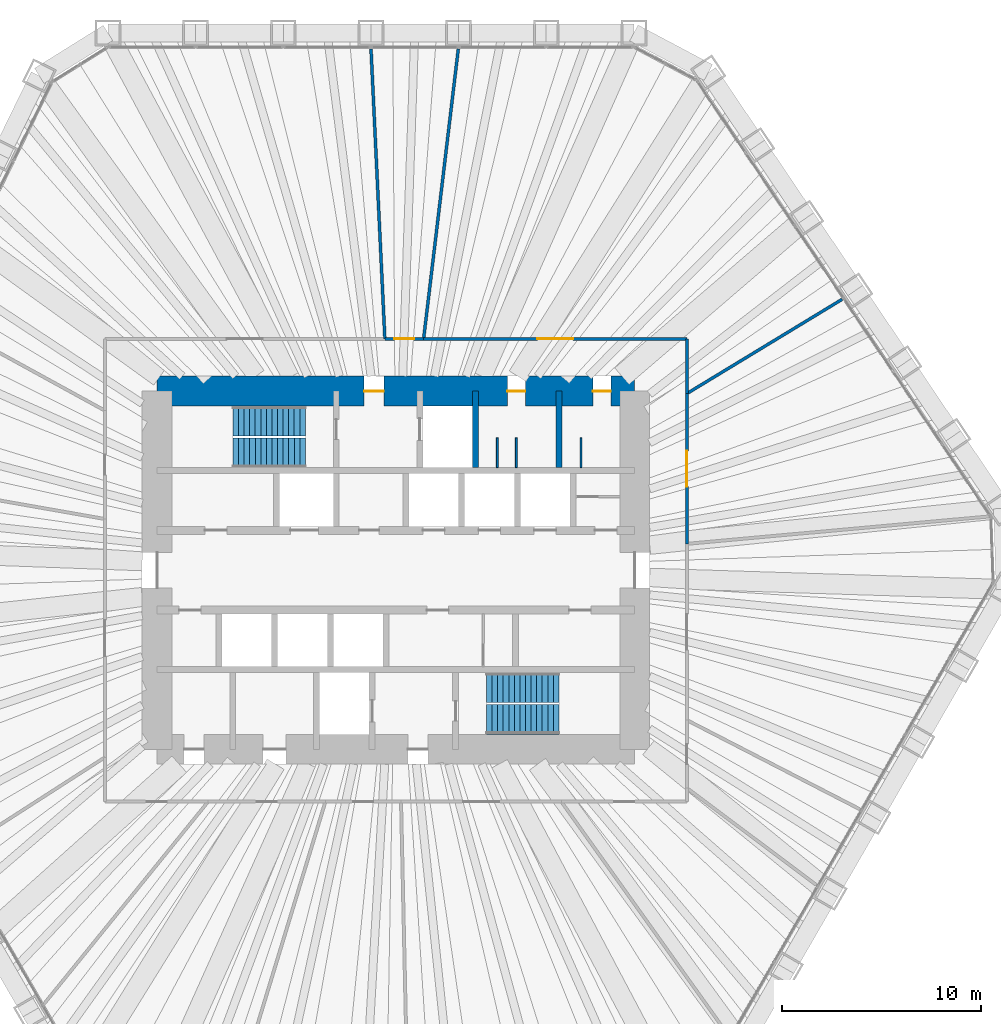
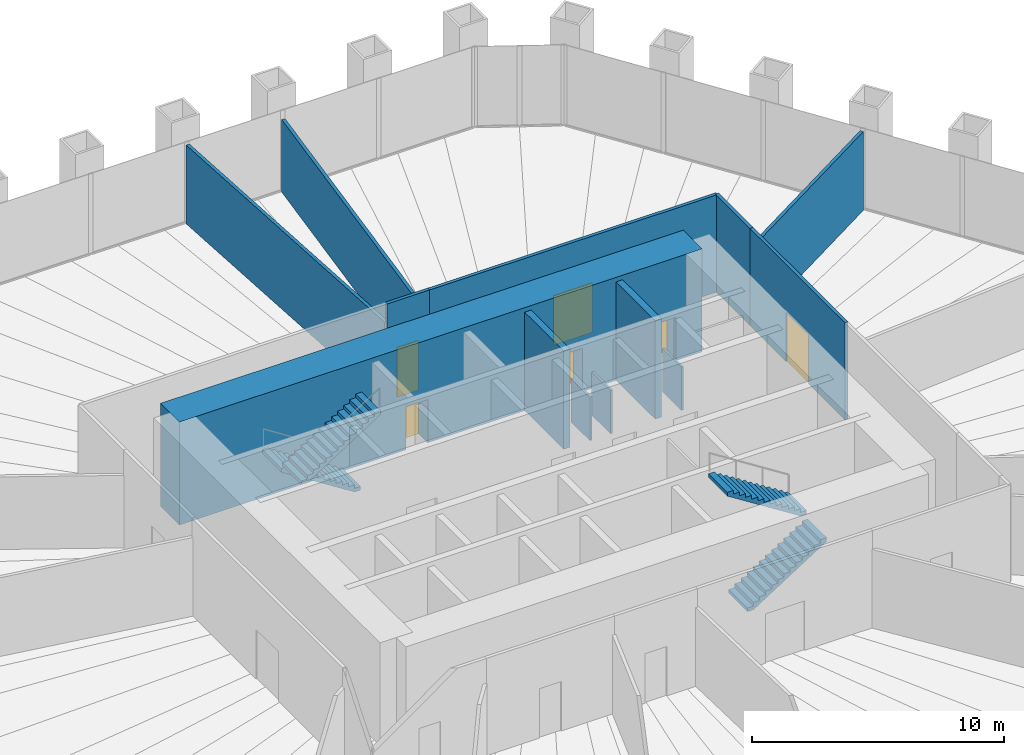
# One storey, part 12 of 13: 13 walls, 6 doors, 4 stair flights, 6 openings, 2 elements without a shape of their own.
"""IFC4 building model written with IfcOpenShell, lengths in metres."""

from ifc_helpers import new_model, si_unit, direction, frame, frame_2d, origin, place, context, subcontext, project, spatial, polyline, rectangle, outline, extrude, material, layer, layer_set, type_object, element, fill, aggregate, save


model = new_model("IFC4")

# Units and contexts
model_context = context("Model", 3, precision=1e-05, world=origin(), true_north=direction((0.0, 1.0)))
body_context = subcontext(model_context, "Body", "Model", "MODEL_VIEW")
ifc_project = project(units=[si_unit("LENGTHUNIT", "METRE"), si_unit("AREAUNIT", "SQUARE_METRE"), si_unit("VOLUMEUNIT", "CUBIC_METRE"), si_unit("PLANEANGLEUNIT", "RADIAN"), si_unit("MASSUNIT", "GRAM", prefix="KILO")], contexts=[model_context])

# Site, building, storey
site_placement = place(None, origin())
site = spatial("IfcSite", under=ifc_project, at=site_placement, CompositionType="ELEMENT")
building_placement = place(site_placement, origin())
building = spatial("IfcBuilding", under=site, at=building_placement, Name="Qingtian Harvest Tower", CompositionType="ELEMENT")
storey_placement = place(building_placement, frame((0.0, 0.0, 92.0)))
storey = spatial("IfcBuildingStorey", under=building, at=storey_placement, Name="L18", CompositionType="ELEMENT", Elevation=92.0)

# Walls
ifc_material_1 = material(Name="Precast concrete shaft panel", Category="concrete")
ifc_layer_1 = layer(ifc_material_1, 0.300048828125)
ifc_layer_set_1 = layer_set([ifc_layer_1], Name="Core shaft partition SW1 300")
wall_type_1 = type_object("IfcWallType", Name="Core shaft partition SW1 300", PredefinedType="PARTITIONING", material=ifc_layer_set_1)
for number, where, z_axis, x_axis, name in (
    (1, (4.0, 5.14990234375, 0.0), (0.0, 0.0, 1.0), (0.0, 1.0, 0.0), "Core shaft partition XN3 L18"),
    (2, (8.199951171875, 5.14990234375, 0.0), (0.0, 0.0, 1.0), (0.0, 1.0, 0.0), "Core shaft partition XN4 L18"),
):
    element("IfcWall", number, at=place(storey_placement, frame(where, z_axis=z_axis, x_axis=x_axis)), inside=storey, type_object=wall_type_1, Name=name, PredefinedType="PARTITIONING", context=body_context, shape_type="SweptSolid", body=[
        extrude(rectangle(XDim=3.85009765625, YDim=0.300048828125, at=frame_2d((1.925048828125, 0.0))), origin(), (0.0, 0.0, 1.0), 4.780029296875),
    ])

# Wall, openings, doors
ifc_material_2 = material(Name="Concrete fc' 70 MPa", Category="concrete")
ifc_layer_2 = layer(ifc_material_2, 1.5)
ifc_layer_set_2 = layer_set([ifc_layer_2], Name="Core wall RC1 1500")
wall_type_2 = type_object("IfcWallType", Name="Core wall RC1 1500", PredefinedType="SHEAR", material=ifc_layer_set_2)
wall_1_placement = place(storey_placement, frame((-12.0, 9.0, 0.0), z_axis=(0.0, 0.0, 1.0), x_axis=(1.0, 0.0, 0.0)))
wall_1 = element("IfcWall", 3, at=wall_1_placement, inside=storey, type_object=wall_type_2, Name="Core wall CN L18", PredefinedType="SHEAR", context=body_context, shape_type="SweptSolid", body=[
    extrude(rectangle(XDim=24.0, YDim=1.5, at=frame_2d((12.0, 0.0))), origin(), (0.0, 0.0, 1.0), 5.0),
])
opening_1_placement = place(wall_1_placement, frame((10.39990234375, 0.0, 0.0)))
opening_1 = element("IfcOpeningElement", 4, at=opening_1_placement, cuts=wall_1, Name="Opening FD1", PredefinedType="OPENING", context=body_context, shape_type="SweptSolid", body=[
    extrude(rectangle(XDim=1.0, YDim=2.10009765625, at=frame_2d((0.5, 1.050048828125))), frame((0.0, 0.760009765625, 0.0), z_axis=(0.0, -1.0, 0.0), x_axis=(1.0, 0.0, 0.0)), (0.0, 0.0, 1.0), 1.52001953125),
])
opening_2_placement = place(wall_1_placement, frame((17.60009765625, 0.0, 0.0)))
opening_2 = element("IfcOpeningElement", 5, at=opening_2_placement, cuts=wall_1, Name="Opening D1", PredefinedType="OPENING", context=body_context, shape_type="SweptSolid", body=[
    extrude(rectangle(XDim=0.89990234375, YDim=2.10009765625, at=frame_2d((0.449951171875, 1.050048828125))), frame((0.0, 0.760009765625, 0.0), z_axis=(0.0, -1.0, 0.0), x_axis=(1.0, 0.0, 0.0)), (0.0, 0.0, 1.0), 1.52001953125),
])
opening_3_placement = place(wall_1_placement, frame((21.89990234375, 0.0, 0.0)))
opening_3 = element("IfcOpeningElement", 6, at=opening_3_placement, cuts=wall_1, Name="Opening D1", PredefinedType="OPENING", context=body_context, shape_type="SweptSolid", body=[
    extrude(rectangle(XDim=0.89990234375, YDim=2.10009765625, at=frame_2d((0.449951171875, 1.050048828125))), frame((0.0, 0.760009765625, 0.0), z_axis=(0.0, -1.0, 0.0), x_axis=(1.0, 0.0, 0.0)), (0.0, 0.0, 1.0), 1.52001953125),
])
ifc_material_3 = material(Name="Steel-faced door leaf", Category="steel")
door_type_1 = type_object("IfcDoorType", Name="Fire door FD1 single 1 HR", OperationType="SINGLE_SWING_LEFT", PredefinedType="DOOR", material=ifc_material_3)
door_1_placement = place(opening_1_placement, origin())
door_1 = element("IfcDoor", 7, at=door_1_placement, inside=storey, type_object=door_type_1, Name="V1 door L18", OperationType="SINGLE_SWING_LEFT", OverallHeight=2.10009765625, OverallWidth=1.0, PredefinedType="DOOR", context=body_context, shape_type="SweptSolid", body=[
    extrude(rectangle(XDim=1.0, YDim=2.10009765625, at=frame_2d((0.5, 1.050048828125))), frame((0.0, 0.02490234375, 0.0), z_axis=(0.0, -1.0, 0.0), x_axis=(1.0, 0.0, 0.0)), (0.0, 0.0, 1.0), 0.050048828125),
])
fill(opening_1, door_1)
ifc_material_4 = material(Name="Laminated timber door leaf", Category="wood")
door_type_2 = type_object("IfcDoorType", Name="Toilet door D1 single", OperationType="SINGLE_SWING_LEFT", PredefinedType="DOOR", material=ifc_material_4)
door_2_placement = place(opening_2_placement, origin())
door_2 = element("IfcDoor", 8, at=door_2_placement, inside=storey, type_object=door_type_2, Name="WCM door L18", OperationType="SINGLE_SWING_RIGHT", OverallHeight=2.10009765625, OverallWidth=0.89990234375, PredefinedType="DOOR", context=body_context, shape_type="SweptSolid", body=[
    extrude(rectangle(XDim=0.89990234375, YDim=2.10009765625, at=frame_2d((0.449951171875, 1.050048828125))), frame((0.0, 0.02490234375, 0.0), z_axis=(0.0, -1.0, 0.0), x_axis=(1.0, 0.0, 0.0)), (0.0, 0.0, 1.0), 0.050048828125),
])
fill(opening_2, door_2)
door_3_placement = place(opening_3_placement, origin())
door_3 = element("IfcDoor", 9, at=door_3_placement, inside=storey, type_object=door_type_2, Name="WCF door L18", OperationType="SINGLE_SWING_RIGHT", OverallHeight=2.10009765625, OverallWidth=0.89990234375, PredefinedType="DOOR", context=body_context, shape_type="SweptSolid", body=[
    extrude(rectangle(XDim=0.89990234375, YDim=2.10009765625, at=frame_2d((0.449951171875, 1.050048828125))), frame((0.0, 0.02490234375, 0.0), z_axis=(0.0, -1.0, 0.0), x_axis=(1.0, 0.0, 0.0)), (0.0, 0.0, 1.0), 0.050048828125),
])
fill(opening_3, door_3)

# Wall
ifc_material_5 = material(Name="Gypsum board on steel studs", Category="steel")
ifc_layer_3 = layer(ifc_material_5, 0.14990234375)
ifc_layer_set_3 = layer_set([ifc_layer_3], Name="Partition PT1 150")
wall_type_3 = type_object("IfcWallType", Name="Partition PT1 150", PredefinedType="PARTITIONING", material=ifc_layer_set_3)
wall_2_placement = place(storey_placement, frame((-1.2529296875, 26.2001953125, 0.0), z_axis=(0.0, 0.0, 1.0), x_axis=(0.047767854541, -0.998858464485, 0.0)))
element("IfcWall", 10, at=wall_2_placement, inside=storey, type_object=wall_type_3, Name="Nutrient dosing room wall L18", PredefinedType="PARTITIONING", context=body_context, shape_type="SweptSolid", body=[
    extrude(rectangle(XDim=14.591796875, YDim=0.14990234375, at=frame_2d((7.2958984375, 0.0))), origin(), (0.0, 0.0, 1.0), 3.820068359375),
])

# Wall, opening, door
wall_3_placement = place(storey_placement, frame((-0.555908203125, 11.625, 0.0), z_axis=(0.0, 0.0, 1.0), x_axis=(1.0, 0.0, 0.0)))
wall_3 = element("IfcWall", 11, at=wall_3_placement, inside=storey, type_object=wall_type_3, Name="Nutrient dosing room wall L18", PredefinedType="PARTITIONING", context=body_context, shape_type="SweptSolid", body=[
    extrude(rectangle(XDim=1.947021484375, YDim=0.14990234375, at=frame_2d((0.9736328125, 0.0))), origin(), (0.0, 0.0, 1.0), 4.719970703125),
])
opening_4_placement = place(wall_3_placement, frame((0.473388671875, 0.0, 0.0)))
opening_4 = element("IfcOpeningElement", 12, at=opening_4_placement, cuts=wall_3, Name="Opening D2", PredefinedType="OPENING", context=body_context, shape_type="SweptSolid", body=[
    extrude(rectangle(XDim=1.0, YDim=2.39990234375, at=frame_2d((0.5, 1.199951171875))), frame((0.0, 0.0849609375, 0.0), z_axis=(0.0, -1.0, 0.0), x_axis=(1.0, 0.0, 0.0)), (0.0, 0.0, 1.0), 0.169921875),
])
ifc_material_6 = material(Name="Laminated timber door leaf", Category="wood")
door_type_3 = type_object("IfcDoorType", Name="Room door D2 single", OperationType="SINGLE_SWING_LEFT", PredefinedType="DOOR", material=ifc_material_6)
door_4_placement = place(opening_4_placement, origin())
door_4 = element("IfcDoor", 13, at=door_4_placement, inside=storey, type_object=door_type_3, Name="Nutrient dosing room door L18", OperationType="SINGLE_SWING_LEFT", OverallHeight=2.39990234375, OverallWidth=1.0, PredefinedType="DOOR", context=body_context, shape_type="SweptSolid", body=[
    extrude(rectangle(XDim=1.0, YDim=2.39990234375, at=frame_2d((0.5, 1.199951171875))), frame((0.0, 0.02490234375, 0.0), z_axis=(0.0, -1.0, 0.0), x_axis=(1.0, 0.0, 0.0)), (0.0, 0.0, 1.0), 0.050048828125),
])
fill(opening_4, door_4)

# Wall
wall_4_placement = place(storey_placement, frame((3.135009765625, 26.20068359375, 0.0), z_axis=(0.0, 0.0, 1.0), x_axis=(-0.118796980211, -0.992918565388, 0.0)))
element("IfcWall", 14, at=wall_4_placement, inside=storey, type_object=wall_type_3, Name="Leafy greens growing room wall L18", PredefinedType="PARTITIONING", context=body_context, shape_type="SweptSolid", body=[
    extrude(rectangle(XDim=14.6796875, YDim=0.14990234375, at=frame_2d((7.33984375, 0.0))), origin(), (0.0, 0.0, 1.0), 3.52001953125),
])

# Wall, opening, door
wall_5_placement = place(storey_placement, frame((1.39111328125, 11.625, 0.0), z_axis=(0.0, 0.0, 1.0), x_axis=(1.0, 0.0, 0.0)))
wall_5 = element("IfcWall", 15, at=wall_5_placement, inside=storey, type_object=wall_type_3, Name="Leafy greens growing room wall L18", PredefinedType="PARTITIONING", context=body_context, shape_type="SweptSolid", body=[
    extrude(rectangle(XDim=13.23388671875, YDim=0.14990234375, at=frame_2d((6.616943359375, 0.0))), origin(), (0.0, 0.0, 1.0), 4.719970703125),
])
opening_5_placement = place(wall_5_placement, frame((5.717041015625, 0.0, 0.0)))
opening_5 = element("IfcOpeningElement", 16, at=opening_5_placement, cuts=wall_5, Name="Opening D3", PredefinedType="OPENING", context=body_context, shape_type="SweptSolid", body=[
    extrude(rectangle(XDim=1.800048828125, YDim=2.39990234375, at=frame_2d((0.89990234375, 1.199951171875))), frame((0.0, 0.0849609375, 0.0), z_axis=(0.0, -1.0, 0.0), x_axis=(1.0, 0.0, 0.0)), (0.0, 0.0, 1.0), 0.169921875),
])
ifc_material_7 = material(Name="Laminated timber door leaf", Category="wood")
door_type_4 = type_object("IfcDoorType", Name="Room door D3 double", OperationType="DOUBLE_DOOR_DOUBLE_SWING", PredefinedType="DOOR", material=ifc_material_7)
door_5_placement = place(opening_5_placement, origin())
door_5 = element("IfcDoor", 17, at=door_5_placement, inside=storey, type_object=door_type_4, Name="Leafy greens growing room door L18", OperationType="DOUBLE_DOOR_DOUBLE_SWING", OverallHeight=2.39990234375, OverallWidth=1.800048828125, PredefinedType="DOOR", context=body_context, shape_type="SweptSolid", body=[
    extrude(rectangle(XDim=1.800048828125, YDim=2.39990234375, at=frame_2d((0.89990234375, 1.199951171875))), frame((0.0, 0.02490234375, 0.0), z_axis=(0.0, -1.0, 0.0), x_axis=(1.0, 0.0, 0.0)), (0.0, 0.0, 1.0), 0.050048828125),
])
fill(opening_5, door_5)

# Walls
wall_6_placement = place(storey_placement, frame((14.625, 11.625, 0.0), z_axis=(0.0, 0.0, 1.0), x_axis=(0.0, -1.0, 0.0)))
element("IfcWall", 18, at=wall_6_placement, inside=storey, type_object=wall_type_3, Name="Leafy greens growing room wall L18", PredefinedType="PARTITIONING", context=body_context, shape_type="SweptSolid", body=[
    extrude(rectangle(XDim=2.74609375, YDim=0.14990234375, at=frame_2d((1.373046875, 0.0))), origin(), (0.0, 0.0, 1.0), 4.719970703125),
])
wall_7_placement = place(storey_placement, frame((22.42138671875, 13.6123046875, 0.0), z_axis=(0.0, 0.0, 1.0), x_axis=(-0.854793452413, -0.518968355213, 0.0)))
element("IfcWall", 19, at=wall_7_placement, inside=storey, type_object=wall_type_3, Name="Herb growing room wall L18", PredefinedType="PARTITIONING", context=body_context, shape_type="SweptSolid", body=[
    extrude(rectangle(XDim=9.120849609375, YDim=0.14990234375, at=frame_2d((4.560546875, 0.0))), origin(), (0.0, 0.0, 1.0), 3.820068359375),
])

# Wall, opening, door
wall_8_placement = place(storey_placement, frame((14.625, 8.87890625, 0.0), z_axis=(0.0, 0.0, 1.0), x_axis=(0.0, -1.0, 0.0)))
wall_8 = element("IfcWall", 20, at=wall_8_placement, inside=storey, type_object=wall_type_3, Name="Herb growing room wall L18", PredefinedType="PARTITIONING", context=body_context, shape_type="SweptSolid", body=[
    extrude(rectangle(XDim=7.553466796875, YDim=0.14990234375, at=frame_2d((3.77685546875, 0.0))), origin(), (0.0, 0.0, 1.0), 4.719970703125),
])
opening_6_placement = place(wall_8_placement, frame((2.876708984375, 0.0, 0.0)))
opening_6 = element("IfcOpeningElement", 21, at=opening_6_placement, cuts=wall_8, Name="Opening D3", PredefinedType="OPENING", context=body_context, shape_type="SweptSolid", body=[
    extrude(rectangle(XDim=1.800048828125, YDim=2.39990234375, at=frame_2d((0.89990234375, 1.199951171875))), frame((0.0, 0.0849609375, 0.0), z_axis=(0.0, -1.0, 0.0), x_axis=(1.0, 0.0, 0.0)), (0.0, 0.0, 1.0), 0.169921875),
])
door_6_placement = place(opening_6_placement, origin())
door_6 = element("IfcDoor", 22, at=door_6_placement, inside=storey, type_object=door_type_4, Name="Herb growing room door L18", OperationType="DOUBLE_DOOR_DOUBLE_SWING", OverallHeight=2.39990234375, OverallWidth=1.800048828125, PredefinedType="DOOR", context=body_context, shape_type="SweptSolid", body=[
    extrude(rectangle(XDim=1.800048828125, YDim=2.39990234375, at=frame_2d((0.89990234375, 1.199951171875))), frame((0.0, 0.02490234375, 0.0), z_axis=(0.0, -1.0, 0.0), x_axis=(1.0, 0.0, 0.0)), (0.0, 0.0, 1.0), 0.050048828125),
])
fill(opening_6, door_6)

# Walls
ifc_material_8 = material(Name="Compact laminate cubicle partition", Category="plastic")
ifc_layer_4 = layer(ifc_material_8, 0.10009765625)
ifc_layer_set_4 = layer_set([ifc_layer_4], Name="WC cubicle partition WP1 100")
wall_type_4 = type_object("IfcWallType", Name="WC cubicle partition WP1 100", PredefinedType="PARTITIONING", material=ifc_layer_set_4)
for number, where, z_axis, x_axis, name in (
    (23, (5.10009765625, 5.14990234375, 0.0), (0.0, 0.0, 1.0), (0.0, 1.0, 0.0), "WC cubicle partition WCM L18"),
    (24, (6.050048828125, 5.14990234375, 0.0), (0.0, 0.0, 1.0), (0.0, 1.0, 0.0), "WC cubicle partition WCM L18"),
    (25, (9.300048828125, 5.14990234375, 0.0), (0.0, 0.0, 1.0), (0.0, 1.0, 0.0), "WC cubicle partition WCF L18"),
):
    element("IfcWall", number, at=place(storey_placement, frame(where, z_axis=z_axis, x_axis=x_axis)), inside=storey, type_object=wall_type_4, Name=name, PredefinedType="PARTITIONING", context=body_context, shape_type="SweptSolid", body=[
        extrude(rectangle(XDim=1.5, YDim=0.10009765625, at=frame_2d((0.75, 0.0))), origin(), (0.0, 0.0, 1.0), 2.10009765625),
    ])

# Stair, stair flights
ifc_material_9 = material(Name="Concrete fc' 35 MPa", Category="concrete")
stair_type = type_object("IfcStairType", Name="Special stair ST2 5000", PredefinedType="HALF_TURN_STAIR", material=ifc_material_9)
stair_1_placement = place(storey_placement, origin())
stair_1 = element("IfcStair", 26, at=stair_1_placement, inside=storey, type_object=stair_type, Name="Special stair S1 L18", PredefinedType="HALF_TURN_STAIR")
ifc_material_10 = material(Name="Concrete fc' 35 MPa", Category="concrete")
stair_flight_type = type_object("IfcStairFlightType", Name="Stair flight SF2 5000", PredefinedType="STRAIGHT", material=ifc_material_10)
stair_flight_1_placement = place(storey_placement, frame((-4.550048828125, 7.5, 0.0), z_axis=(0.0, 0.0, 1.0), x_axis=(-1.0, 0.0, 0.0)))
stair_flight_1 = element("IfcStairFlight", 27, at=stair_flight_1_placement, type_object=stair_flight_type, Name="S1 flight 1", NumberOfRisers=14, NumberOfTreads=13, PredefinedType="STRAIGHT", RiserHeight=0.178571429, TreadLength=0.28, context=body_context, shape_type="SweptSolid", body=[
    extrude(outline(polyline([(0.0, 0.0), (0.0, 0.178466796875), (0.280029296875, 0.178466796875), (0.280029296875, 0.357177734375), (0.56005859375, 0.357177734375), (0.56005859375, 0.53564453125), (0.840087890625, 0.53564453125), (0.840087890625, 0.71435546875), (1.1201171875, 0.71435546875), (1.1201171875, 0.892822265625), (1.39990234375, 0.892822265625), (1.39990234375, 1.071533203125), (1.679931640625, 1.071533203125), (1.679931640625, 1.25), (1.9599609375, 1.25), (1.9599609375, 1.428466796875), (2.239990234375, 1.428466796875), (2.239990234375, 1.607177734375), (2.52001953125, 1.607177734375), (2.52001953125, 1.78564453125), (2.800048828125, 1.78564453125), (2.800048828125, 1.96435546875), (3.080078125, 1.96435546875), (3.080078125, 2.142822265625), (3.360107421875, 2.142822265625), (3.360107421875, 2.321533203125), (3.639892578125, 2.321533203125), (3.639892578125, 2.5), (3.639892578125, 2.1435546875), (0.27880859375, 0.0), (0.0, 0.0)])), frame((0.0, 0.75, 0.0), z_axis=(0.0, -1.0, 0.0), x_axis=(1.0, 0.0, 0.0)), (0.0, 0.0, 1.0), 1.5),
])
stair_flight_2_placement = place(storey_placement, frame((-8.18994140625, 5.89990234375, 2.5), z_axis=(0.0, 0.0, 1.0), x_axis=(1.0, 0.0, 0.0)))
stair_flight_2 = element("IfcStairFlight", 28, at=stair_flight_2_placement, type_object=stair_flight_type, Name="S1 flight 2", NumberOfRisers=14, NumberOfTreads=13, PredefinedType="STRAIGHT", RiserHeight=0.178571429, TreadLength=0.28, context=body_context, shape_type="SweptSolid", body=[
    extrude(outline(polyline([(0.0, 0.0), (0.0, 0.178466796875), (0.280029296875, 0.178466796875), (0.280029296875, 0.357177734375), (0.56005859375, 0.357177734375), (0.56005859375, 0.53564453125), (0.840087890625, 0.53564453125), (0.840087890625, 0.71435546875), (1.1201171875, 0.71435546875), (1.1201171875, 0.892822265625), (1.39990234375, 0.892822265625), (1.39990234375, 1.071533203125), (1.679931640625, 1.071533203125), (1.679931640625, 1.25), (1.9599609375, 1.25), (1.9599609375, 1.428466796875), (2.239990234375, 1.428466796875), (2.239990234375, 1.607177734375), (2.52001953125, 1.607177734375), (2.52001953125, 1.78564453125), (2.800048828125, 1.78564453125), (2.800048828125, 1.96435546875), (3.080078125, 1.96435546875), (3.080078125, 2.142822265625), (3.360107421875, 2.142822265625), (3.360107421875, 2.321533203125), (3.639892578125, 2.321533203125), (3.639892578125, 2.5), (3.639892578125, 2.1435546875), (0.27880859375, 0.0), (0.0, 0.0)])), frame((0.0, 0.75, 0.0), z_axis=(0.0, -1.0, 0.0), x_axis=(1.0, 0.0, 0.0)), (0.0, 0.0, 1.0), 1.5),
])
aggregate(stair_1, [stair_flight_1, stair_flight_2])

stair_2_placement = place(storey_placement, origin())
stair_2 = element("IfcStair", 29, at=stair_2_placement, inside=storey, type_object=stair_type, Name="Special stair S2 L18", PredefinedType="HALF_TURN_STAIR")
stair_flight_3_placement = place(storey_placement, frame((4.550048828125, -7.5, 0.0), z_axis=(0.0, 0.0, 1.0), x_axis=(1.0, 0.0, 0.0)))
stair_flight_3 = element("IfcStairFlight", 30, at=stair_flight_3_placement, type_object=stair_flight_type, Name="S2 flight 1", NumberOfRisers=14, NumberOfTreads=13, PredefinedType="STRAIGHT", RiserHeight=0.178571429, TreadLength=0.28, context=body_context, shape_type="SweptSolid", body=[
    extrude(outline(polyline([(0.0, 0.0), (0.0, 0.178466796875), (0.280029296875, 0.178466796875), (0.280029296875, 0.357177734375), (0.56005859375, 0.357177734375), (0.56005859375, 0.53564453125), (0.840087890625, 0.53564453125), (0.840087890625, 0.71435546875), (1.1201171875, 0.71435546875), (1.1201171875, 0.892822265625), (1.39990234375, 0.892822265625), (1.39990234375, 1.071533203125), (1.679931640625, 1.071533203125), (1.679931640625, 1.25), (1.9599609375, 1.25), (1.9599609375, 1.428466796875), (2.239990234375, 1.428466796875), (2.239990234375, 1.607177734375), (2.52001953125, 1.607177734375), (2.52001953125, 1.78564453125), (2.800048828125, 1.78564453125), (2.800048828125, 1.96435546875), (3.080078125, 1.96435546875), (3.080078125, 2.142822265625), (3.360107421875, 2.142822265625), (3.360107421875, 2.321533203125), (3.639892578125, 2.321533203125), (3.639892578125, 2.5), (3.639892578125, 2.1435546875), (0.27880859375, 0.0), (0.0, 0.0)])), frame((0.0, 0.75, 0.0), z_axis=(0.0, -1.0, 0.0), x_axis=(1.0, 0.0, 0.0)), (0.0, 0.0, 1.0), 1.5),
])
stair_flight_4_placement = place(storey_placement, frame((8.18994140625, -5.89990234375, 2.5), z_axis=(0.0, 0.0, 1.0), x_axis=(-1.0, 0.0, 0.0)))
stair_flight_4 = element("IfcStairFlight", 31, at=stair_flight_4_placement, type_object=stair_flight_type, Name="S2 flight 2", NumberOfRisers=14, NumberOfTreads=13, PredefinedType="STRAIGHT", RiserHeight=0.178571429, TreadLength=0.28, context=body_context, shape_type="SweptSolid", body=[
    extrude(outline(polyline([(0.0, 0.0), (0.0, 0.178466796875), (0.280029296875, 0.178466796875), (0.280029296875, 0.357177734375), (0.56005859375, 0.357177734375), (0.56005859375, 0.53564453125), (0.840087890625, 0.53564453125), (0.840087890625, 0.71435546875), (1.1201171875, 0.71435546875), (1.1201171875, 0.892822265625), (1.39990234375, 0.892822265625), (1.39990234375, 1.071533203125), (1.679931640625, 1.071533203125), (1.679931640625, 1.25), (1.9599609375, 1.25), (1.9599609375, 1.428466796875), (2.239990234375, 1.428466796875), (2.239990234375, 1.607177734375), (2.52001953125, 1.607177734375), (2.52001953125, 1.78564453125), (2.800048828125, 1.78564453125), (2.800048828125, 1.96435546875), (3.080078125, 1.96435546875), (3.080078125, 2.142822265625), (3.360107421875, 2.142822265625), (3.360107421875, 2.321533203125), (3.639892578125, 2.321533203125), (3.639892578125, 2.5), (3.639892578125, 2.1435546875), (0.27880859375, 0.0), (0.0, 0.0)])), frame((0.0, 0.75, 0.0), z_axis=(0.0, -1.0, 0.0), x_axis=(1.0, 0.0, 0.0)), (0.0, 0.0, 1.0), 1.5),
])
aggregate(stair_2, [stair_flight_3, stair_flight_4])

save(model, "model.ifc")
